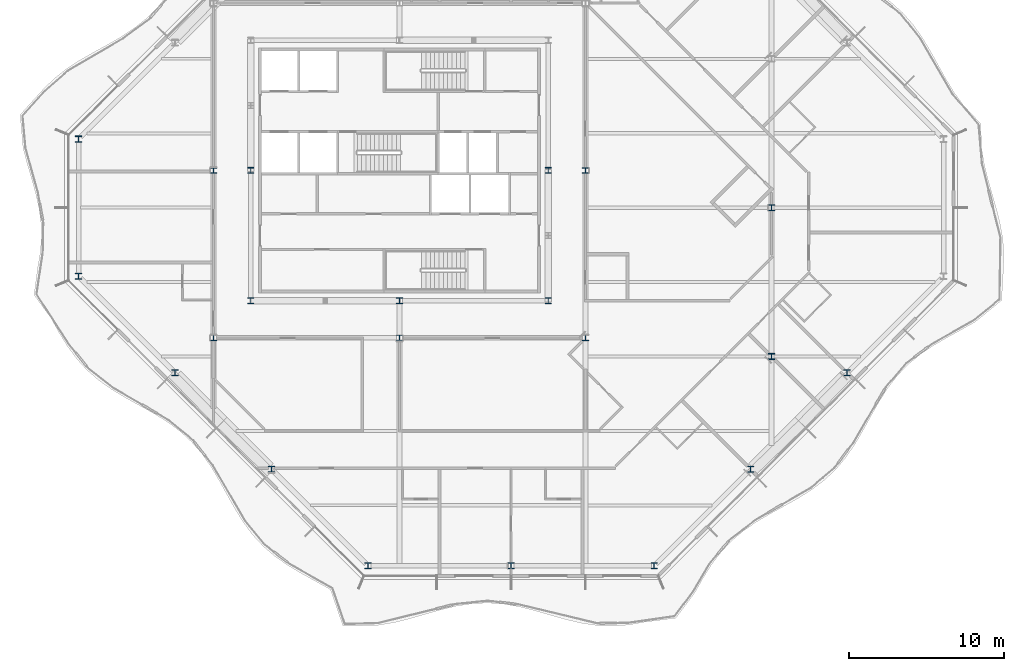
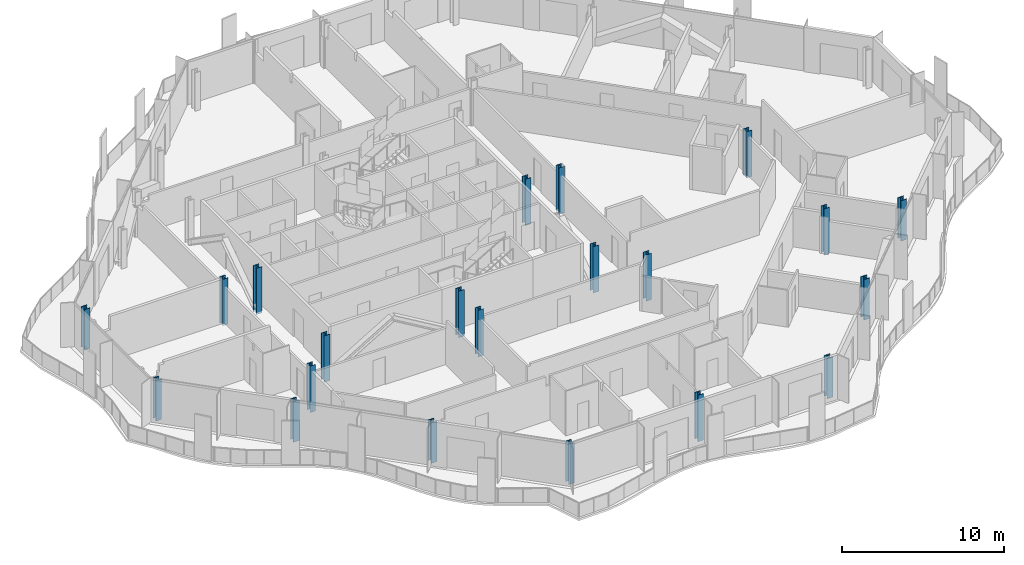
# One storey, part 1 of 17: 21 columns.
"""IFC4 building model written with IfcOpenShell, lengths in metres."""

from ifc_helpers import new_model, si_unit, direction, frame, origin, origin_2d, place, context, subcontext, project, spatial, i_section, extrude, clip, halfspace, material, material_profile, profile_set, type_object, element, save


model = new_model("IFC4")

# Units and contexts
model_context = context("Model", 3, precision=1e-05, world=origin(), true_north=direction((0.0, 1.0)))
body_context = subcontext(model_context, "Body", "Model", "MODEL_VIEW")
ifc_project = project(units=[si_unit("LENGTHUNIT", "METRE"), si_unit("AREAUNIT", "SQUARE_METRE"), si_unit("VOLUMEUNIT", "CUBIC_METRE"), si_unit("PLANEANGLEUNIT", "RADIAN"), si_unit("MASSUNIT", "GRAM", prefix="KILO")], contexts=[model_context])

# Site, building, storey
site_placement = place(None, origin())
site = spatial("IfcSite", under=ifc_project, at=site_placement, CompositionType="ELEMENT")
building_placement = place(site_placement, origin())
building = spatial("IfcBuilding", under=site, at=building_placement, Name="Cairn Pilgrim Tower", CompositionType="ELEMENT")
storey_placement = place(building_placement, frame((0.0, 0.0, 257.39990234375)))
storey = spatial("IfcBuildingStorey", under=building, at=storey_placement, Name="L66", CompositionType="ELEMENT", Elevation=257.39990234375)

# Columns
ifc_material_1 = material(Name="Structural steel S355J2", Category="steel")
ifc_material_profile_1 = material_profile(ifc_material_1, i_section(OverallWidth=0.39404296875, OverallDepth=0.375, WebThickness=0.017333984375, FlangeThickness=0.027587890625, FilletRadius=0.014892578125, at=origin_2d()), Name="HD 400x216")
ifc_profile_set_1 = profile_set([ifc_material_profile_1], Name="Structural steel S355J2")
column_type_1 = type_object("IfcColumnType", Name="HD 400x216", PredefinedType="COLUMN", material=ifc_profile_set_1)
for number, where, z_axis, x_axis, name in (
    (1, (-4.800048828125, -8.39990234375, -0.14990234375), (0.0, 0.0, 1.0), (1.0, 0.0, 0.0), "IC-1"),
    (2, (7.199951171875, -8.39990234375, -0.14990234375), (0.0, 0.0, 1.0), (1.0, 0.0, 0.0), "IC-2"),
    (3, (19.199951171875, -8.39990234375, -0.14990234375), (0.0, 0.0, 1.0), (1.0, 0.0, 0.0), "IC-3"),
    (4, (-4.800048828125, 2.39990234375, -0.14990234375), (0.0, 0.0, 1.0), (1.0, 0.0, 0.0), "IC-4"),
    (5, (19.199951171875, 2.39990234375, -0.14990234375), (0.0, 0.0, 1.0), (1.0, 0.0, 0.0), "IC-5"),
):
    element("IfcColumn", number, at=place(storey_placement, frame(where, z_axis=z_axis, x_axis=x_axis)), inside=storey, type_object=column_type_1, Name=name, PredefinedType="COLUMN", context=body_context, shape_type="SweptSolid", body=[
        extrude(i_section(OverallWidth=0.39404296875, OverallDepth=0.375, WebThickness=0.017333984375, FlangeThickness=0.027587890625, FilletRadius=0.014892578125, at=origin_2d()), origin(), (0.0, 0.0, 1.0), 3.5),
    ])
ifc_material_profile_2 = material_profile(ifc_material_1, i_section(OverallWidth=0.39794921875, OverallDepth=0.386962890625, WebThickness=0.02099609375, FlangeThickness=0.033203125, FilletRadius=0.014892578125, at=origin_2d()), Name="HD 400x262")
ifc_profile_set_2 = profile_set([ifc_material_profile_2], Name="Structural steel S355J2")
column_type_2 = type_object("IfcColumnType", Name="HD 400x262", PredefinedType="COLUMN", material=ifc_profile_set_2)
for number, where, z_axis, x_axis, name in (
    (6, (-2.39990234375, -6.0, -0.14990234375), (0.0, 0.0, 1.0), (1.0, 0.0, 0.0), "KC-1"),
    (7, (7.199951171875, -6.0, -0.14990234375), (0.0, 0.0, 1.0), (1.0, 0.0, 0.0), "KC-2"),
    (8, (16.800048828125, -6.0, -0.14990234375), (0.0, 0.0, 1.0), (1.0, 0.0, 0.0), "KC-3"),
    (9, (-2.39990234375, 2.39990234375, -0.14990234375), (0.0, 0.0, 1.0), (1.0, 0.0, 0.0), "KC-4"),
    (10, (16.800048828125, 2.39990234375, -0.14990234375), (0.0, 0.0, 1.0), (1.0, 0.0, 0.0), "KC-5"),
):
    element("IfcColumn", number, at=place(storey_placement, frame(where, z_axis=z_axis, x_axis=x_axis)), inside=storey, type_object=column_type_2, Name=name, PredefinedType="COLUMN", context=body_context, shape_type="SweptSolid", body=[
        extrude(i_section(OverallWidth=0.39794921875, OverallDepth=0.386962890625, WebThickness=0.02099609375, FlangeThickness=0.033203125, FilletRadius=0.014892578125, at=origin_2d()), origin(), (0.0, 0.0, 1.0), 3.5),
    ])
ifc_material_profile_3 = material_profile(ifc_material_1, i_section(OverallWidth=0.39892578125, OverallDepth=0.39306640625, WebThickness=0.022705078125, FlangeThickness=0.03662109375, FilletRadius=0.014892578125, at=origin_2d()), Name="HD 400x287")
ifc_profile_set_3 = profile_set([ifc_material_profile_3], Name="Structural steel S355J2")
column_type_3 = type_object("IfcColumnType", Name="HD 400x287", PredefinedType="COLUMN", material=ifc_profile_set_3)
for number, where, z_axis, x_axis, name in (
    (11, (31.199951171875, -9.60009765625, -0.14990234375), (0.0, 0.0, 1.0), (1.0, 0.0, 0.0), "WC-WE-2"),
    (12, (31.199951171875, 0.0, -0.14990234375), (0.0, 0.0, 1.0), (1.0, 0.0, 0.0), "WC-WE+0"),
):
    element("IfcColumn", number, at=place(storey_placement, frame(where, z_axis=z_axis, x_axis=x_axis)), inside=storey, type_object=column_type_3, Name=name, PredefinedType="COLUMN", context=body_context, shape_type="SweptSolid", body=[
        extrude(i_section(OverallWidth=0.39892578125, OverallDepth=0.39306640625, WebThickness=0.022705078125, FlangeThickness=0.03662109375, FilletRadius=0.014892578125, at=origin_2d()), origin(), (0.0, 0.0, 1.0), 3.5),
    ])
ifc_material_2 = material(Name="Structural steel S460M", Category="steel")
ifc_material_profile_4 = material_profile(ifc_material_2, i_section(OverallWidth=0.404052734375, OverallDepth=0.406982421875, WebThickness=0.027099609375, FlangeThickness=0.043701171875, FilletRadius=0.014892578125, at=origin_2d()), Name="HD 400x347")
ifc_profile_set_4 = profile_set([ifc_material_profile_4], Name="Structural steel S460M")
column_type_4 = type_object("IfcColumnType", Name="HD 400x347", PredefinedType="COLUMN", material=ifc_profile_set_4)
column_1_placement = place(storey_placement, frame((5.1728515625, -23.10009765625, -0.14990234375), z_axis=(0.0, 0.0, 1.0), x_axis=(1.0, 0.0, 0.0)))
element("IfcColumn", 13, at=column_1_placement, inside=storey, type_object=column_type_4, Name="PC3-S1", PredefinedType="COLUMN", context=body_context, shape_type="Clipping", body=[
    clip(extrude(i_section(OverallWidth=0.404052734375, OverallDepth=0.406982421875, WebThickness=0.027099609375, FlangeThickness=0.043701171875, FilletRadius=0.014892578125, at=origin_2d()), origin(), (0.0, 0.0, 1.0), 3.5), halfspace(frame((0.0, 0.0, 3.050048828125), z_axis=(0.0, 0.0, 1.0), x_axis=(1.0, 0.0, 0.0)), False)),
])
column_2_placement = place(storey_placement, frame((14.39990234375, -23.10009765625, -0.14990234375), z_axis=(0.0, 0.0, 1.0), x_axis=(1.0, 0.0, 0.0)))
element("IfcColumn", 14, at=column_2_placement, inside=storey, type_object=column_type_4, Name="PC3-S2", PredefinedType="COLUMN", context=body_context, shape_type="SweptSolid", body=[
    extrude(i_section(OverallWidth=0.404052734375, OverallDepth=0.406982421875, WebThickness=0.027099609375, FlangeThickness=0.043701171875, FilletRadius=0.014892578125, at=origin_2d()), origin(), (0.0, 0.0, 1.0), 3.5),
])
for number, where, z_axis, x_axis, name in (
    (15, (23.627197265625, -23.10009765625, -0.14990234375), (0.0, 0.0, 1.0), (1.0, 0.0, 0.0), "PC3-SE1"),
    (16, (29.8515625, -16.875732421875, -0.14990234375), (0.0, 0.0, 1.0), (1.0, 0.0, 0.0), "PC3-SE2"),
    (17, (36.07568359375, -10.651611328125, -0.14990234375), (0.0, 0.0, 1.0), (1.0, 0.0, 0.0), "PC3-SE3"),
    (18, (-13.5, 4.42724609375, -0.14990234375), (0.0, 0.0, 1.0), (1.0, 0.0, 0.0), "PC3-W1"),
    (19, (-13.5, -4.42724609375, -0.14990234375), (0.0, 0.0, 1.0), (1.0, 0.0, 0.0), "PC3-SW1"),
    (20, (-7.275634765625, -10.651611328125, -0.14990234375), (0.0, 0.0, 1.0), (1.0, 0.0, 0.0), "PC3-SW2"),
    (21, (-1.051513671875, -16.875732421875, -0.14990234375), (0.0, 0.0, 1.0), (1.0, 0.0, 0.0), "PC3-SW3"),
):
    element("IfcColumn", number, at=place(storey_placement, frame(where, z_axis=z_axis, x_axis=x_axis)), inside=storey, type_object=column_type_4, Name=name, PredefinedType="COLUMN", context=body_context, shape_type="Clipping", body=[
        clip(extrude(i_section(OverallWidth=0.404052734375, OverallDepth=0.406982421875, WebThickness=0.027099609375, FlangeThickness=0.043701171875, FilletRadius=0.014892578125, at=origin_2d()), origin(), (0.0, 0.0, 1.0), 3.5), halfspace(frame((0.0, 0.0, 3.050048828125), z_axis=(0.0, 0.0, 1.0), x_axis=(1.0, 0.0, 0.0)), False)),
    ])

save(model, "model.ifc")
